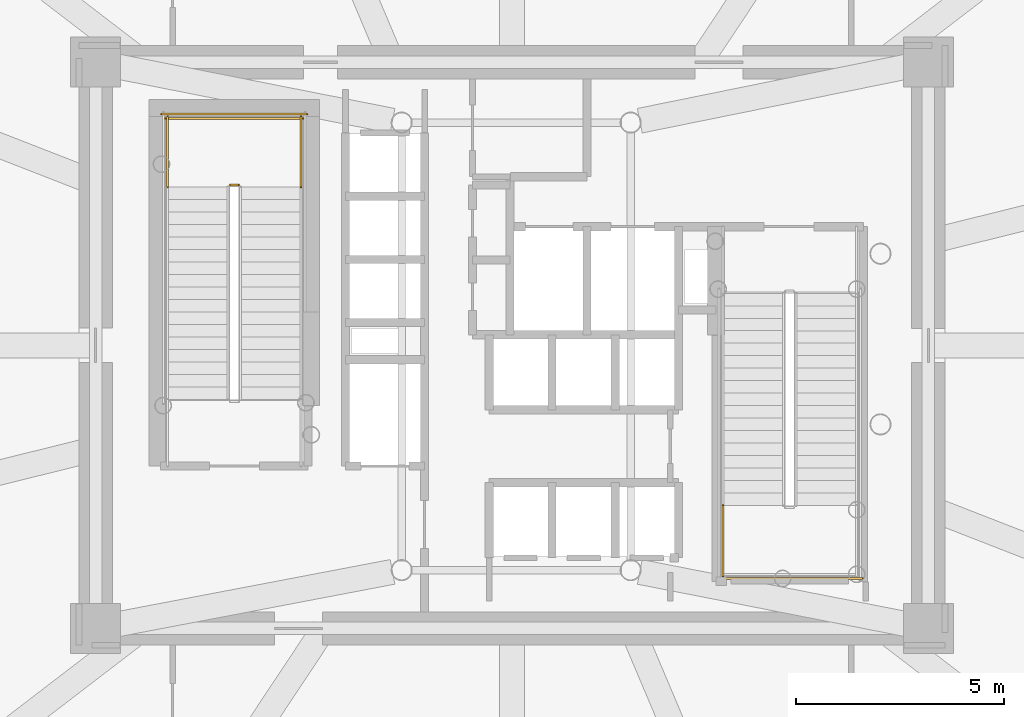
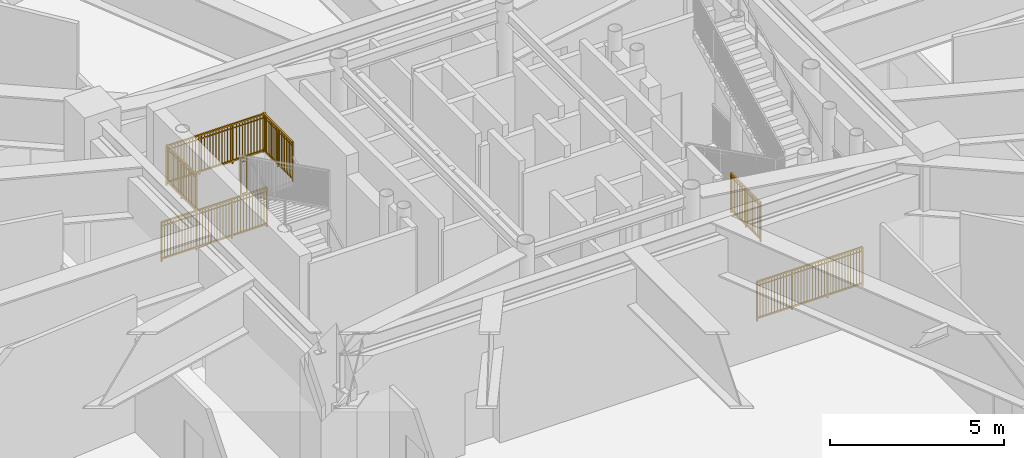
# One storey, part 12 of 15: 7 railings.
"""IFC4 building model written with IfcOpenShell, lengths in metres."""

from ifc_helpers import new_model, si_unit, direction, frame, origin, origin_2d, place, context, subcontext, project, spatial, rectangle, extrude, source, transform, mapped, material, type_object, element, save


model = new_model("IFC4")

# Units and contexts
model_context = context("Model", 3, precision=1e-05, world=origin(), true_north=direction((0.0, 1.0)))
body_context = subcontext(model_context, "Body", "Model", "MODEL_VIEW")
ifc_project = project(units=[si_unit("LENGTHUNIT", "METRE"), si_unit("AREAUNIT", "SQUARE_METRE"), si_unit("VOLUMEUNIT", "CUBIC_METRE"), si_unit("PLANEANGLEUNIT", "RADIAN"), si_unit("MASSUNIT", "GRAM", prefix="KILO")], contexts=[model_context])

# Site, building, storey
site_placement = place(None, origin())
site = spatial("IfcSite", under=ifc_project, at=site_placement, CompositionType="ELEMENT")
building_placement = place(site_placement, origin())
building = spatial("IfcBuilding", under=site, at=building_placement, Name="Linh Dai School and Residence Tower", CompositionType="ELEMENT")
storey_placement = place(building_placement, frame((0.0, 0.0, 145.949951171875)))
storey = spatial("IfcBuildingStorey", under=building, at=storey_placement, Name="L35", CompositionType="ELEMENT", Elevation=145.949951171875)

# Railings
ifc_material = material(Name="Structural Steel S355JR", Category="steel")
railing_type = type_object("IfcRailingType", Name="RL-ST-GUARD-1400", PredefinedType="GUARDRAIL", material=ifc_material)
shared_shape_1 = source(origin(), body_context, "Body", "SweptSolid", [
    extrude(rectangle(XDim=0.048095703125, YDim=0.048095703125, at=origin_2d()), frame((0.0, 0.0, 1.3759765625), z_axis=(-1.0, 0.0, 0.0), x_axis=(0.0, -1.0, 0.0)), (0.0, 0.0, 1.0), 0.199951171875),
    extrude(rectangle(XDim=0.048095703125, YDim=0.048095703125, at=origin_2d()), frame((0.0, 0.0, 0.10009765625), z_axis=(-1.0, 0.0, 0.0), x_axis=(0.0, -1.0, 0.0)), (0.0, 0.0, 1.0), 0.199951171875),
    extrude(rectangle(XDim=0.030029296875, YDim=0.030029296875, at=origin_2d()), frame((0.0, 0.0, 1.239990234375), z_axis=(-1.0, 0.0, 0.0), x_axis=(0.0, -1.0, 0.0)), (0.0, 0.0, 1.0), 0.199951171875),
    extrude(rectangle(XDim=0.0419921875, YDim=0.0419921875, at=origin_2d()), origin(), (0.0, 0.0, 1.0), 1.3759765625),
    extrude(rectangle(XDim=0.0419921875, YDim=0.0419921875, at=origin_2d()), frame((-0.199951171875, 0.0, 0.0)), (0.0, 0.0, 1.0), 1.3759765625),
])
railing_1_placement = place(storey_placement, frame((29.429931640625, 30.85009765625, 2.699951171875)))
element("IfcRailing", 1, at=railing_1_placement, inside=storey, type_object=railing_type, Name="L35 ST1 stair guard 2", PredefinedType="GUARDRAIL", context=body_context, shape_type="MappedRepresentation", body=[
    mapped(shared_shape_1, transform((0.0, 0.0, 0.0), x_axis=(1.0, 0.0, 0.0), y_axis=(0.0, 1.0, 0.0), z_axis=(0.0, 0.0, 1.0), scale=1.0)),
])
shared_shape_2 = source(origin(), body_context, "Body", "SweptSolid", [
    extrude(rectangle(XDim=0.048095703125, YDim=0.048095703125, at=origin_2d()), frame((0.0, 0.0, 1.3759765625), z_axis=(-1.0, 0.0, 0.0), x_axis=(0.0, -1.0, 0.0)), (0.0, 0.0, 1.0), 3.300048828125),
    extrude(rectangle(XDim=0.048095703125, YDim=0.048095703125, at=origin_2d()), frame((0.0, 0.0, 0.10009765625), z_axis=(-1.0, 0.0, 0.0), x_axis=(0.0, -1.0, 0.0)), (0.0, 0.0, 1.0), 3.300048828125),
    extrude(rectangle(XDim=0.030029296875, YDim=0.030029296875, at=origin_2d()), frame((0.0, 0.0, 1.239990234375), z_axis=(-1.0, 0.0, 0.0), x_axis=(0.0, -1.0, 0.0)), (0.0, 0.0, 1.0), 3.300048828125),
    extrude(rectangle(XDim=0.02001953125, YDim=0.02001953125, at=origin_2d()), frame((-0.09716796875, 0.0, 0.10009765625)), (0.0, 0.0, 1.0), 1.251708984375),
    extrude(rectangle(XDim=0.02001953125, YDim=0.02001953125, at=origin_2d()), frame((-0.194091796875, 0.0, 0.10009765625)), (0.0, 0.0, 1.0), 1.251708984375),
    extrude(rectangle(XDim=0.02001953125, YDim=0.02001953125, at=origin_2d()), frame((-0.291259765625, 0.0, 0.10009765625)), (0.0, 0.0, 1.0), 1.251708984375),
    extrude(rectangle(XDim=0.02001953125, YDim=0.02001953125, at=origin_2d()), frame((-0.38818359375, 0.0, 0.10009765625)), (0.0, 0.0, 1.0), 1.251708984375),
    extrude(rectangle(XDim=0.02001953125, YDim=0.02001953125, at=origin_2d()), frame((-0.4853515625, 0.0, 0.10009765625)), (0.0, 0.0, 1.0), 1.251708984375),
    extrude(rectangle(XDim=0.02001953125, YDim=0.02001953125, at=origin_2d()), frame((-0.582275390625, 0.0, 0.10009765625)), (0.0, 0.0, 1.0), 1.251708984375),
    extrude(rectangle(XDim=0.02001953125, YDim=0.02001953125, at=origin_2d()), frame((-0.679443359375, 0.0, 0.10009765625)), (0.0, 0.0, 1.0), 1.251708984375),
    extrude(rectangle(XDim=0.02001953125, YDim=0.02001953125, at=origin_2d()), frame((-0.7763671875, 0.0, 0.10009765625)), (0.0, 0.0, 1.0), 1.251708984375),
    extrude(rectangle(XDim=0.02001953125, YDim=0.02001953125, at=origin_2d()), frame((-0.87353515625, 0.0, 0.10009765625)), (0.0, 0.0, 1.0), 1.251708984375),
    extrude(rectangle(XDim=0.02001953125, YDim=0.02001953125, at=origin_2d()), frame((-0.970703125, 0.0, 0.10009765625)), (0.0, 0.0, 1.0), 1.251708984375),
    extrude(rectangle(XDim=0.02001953125, YDim=0.02001953125, at=origin_2d()), frame((-1.164794921875, 0.0, 0.10009765625)), (0.0, 0.0, 1.0), 1.251708984375),
    extrude(rectangle(XDim=0.02001953125, YDim=0.02001953125, at=origin_2d()), frame((-1.26171875, 0.0, 0.10009765625)), (0.0, 0.0, 1.0), 1.251708984375),
    extrude(rectangle(XDim=0.02001953125, YDim=0.02001953125, at=origin_2d()), frame((-1.35888671875, 0.0, 0.10009765625)), (0.0, 0.0, 1.0), 1.251708984375),
    extrude(rectangle(XDim=0.02001953125, YDim=0.02001953125, at=origin_2d()), frame((-1.455810546875, 0.0, 0.10009765625)), (0.0, 0.0, 1.0), 1.251708984375),
    extrude(rectangle(XDim=0.02001953125, YDim=0.02001953125, at=origin_2d()), frame((-1.552978515625, 0.0, 0.10009765625)), (0.0, 0.0, 1.0), 1.251708984375),
    extrude(rectangle(XDim=0.02001953125, YDim=0.02001953125, at=origin_2d()), frame((-1.64990234375, 0.0, 0.10009765625)), (0.0, 0.0, 1.0), 1.251708984375),
    extrude(rectangle(XDim=0.02001953125, YDim=0.02001953125, at=origin_2d()), frame((-1.7470703125, 0.0, 0.10009765625)), (0.0, 0.0, 1.0), 1.251708984375),
    extrude(rectangle(XDim=0.02001953125, YDim=0.02001953125, at=origin_2d()), frame((-1.84423828125, 0.0, 0.10009765625)), (0.0, 0.0, 1.0), 1.251708984375),
    extrude(rectangle(XDim=0.02001953125, YDim=0.02001953125, at=origin_2d()), frame((-1.941162109375, 0.0, 0.10009765625)), (0.0, 0.0, 1.0), 1.251708984375),
    extrude(rectangle(XDim=0.02001953125, YDim=0.02001953125, at=origin_2d()), frame((-2.038330078125, 0.0, 0.10009765625)), (0.0, 0.0, 1.0), 1.251708984375),
    extrude(rectangle(XDim=0.02001953125, YDim=0.02001953125, at=origin_2d()), frame((-2.13525390625, 0.0, 0.10009765625)), (0.0, 0.0, 1.0), 1.251708984375),
    extrude(rectangle(XDim=0.02001953125, YDim=0.02001953125, at=origin_2d()), frame((-2.329345703125, 0.0, 0.10009765625)), (0.0, 0.0, 1.0), 1.251708984375),
    extrude(rectangle(XDim=0.02001953125, YDim=0.02001953125, at=origin_2d()), frame((-2.426513671875, 0.0, 0.10009765625)), (0.0, 0.0, 1.0), 1.251708984375),
    extrude(rectangle(XDim=0.02001953125, YDim=0.02001953125, at=origin_2d()), frame((-2.523681640625, 0.0, 0.10009765625)), (0.0, 0.0, 1.0), 1.251708984375),
    extrude(rectangle(XDim=0.02001953125, YDim=0.02001953125, at=origin_2d()), frame((-2.62060546875, 0.0, 0.10009765625)), (0.0, 0.0, 1.0), 1.251708984375),
    extrude(rectangle(XDim=0.02001953125, YDim=0.02001953125, at=origin_2d()), frame((-2.7177734375, 0.0, 0.10009765625)), (0.0, 0.0, 1.0), 1.251708984375),
    extrude(rectangle(XDim=0.02001953125, YDim=0.02001953125, at=origin_2d()), frame((-2.814697265625, 0.0, 0.10009765625)), (0.0, 0.0, 1.0), 1.251708984375),
    extrude(rectangle(XDim=0.02001953125, YDim=0.02001953125, at=origin_2d()), frame((-2.911865234375, 0.0, 0.10009765625)), (0.0, 0.0, 1.0), 1.251708984375),
    extrude(rectangle(XDim=0.02001953125, YDim=0.02001953125, at=origin_2d()), frame((-3.0087890625, 0.0, 0.10009765625)), (0.0, 0.0, 1.0), 1.251708984375),
    extrude(rectangle(XDim=0.02001953125, YDim=0.02001953125, at=origin_2d()), frame((-3.10595703125, 0.0, 0.10009765625)), (0.0, 0.0, 1.0), 1.251708984375),
    extrude(rectangle(XDim=0.02001953125, YDim=0.02001953125, at=origin_2d()), frame((-3.202880859375, 0.0, 0.10009765625)), (0.0, 0.0, 1.0), 1.251708984375),
    extrude(rectangle(XDim=0.0419921875, YDim=0.0419921875, at=origin_2d()), origin(), (0.0, 0.0, 1.0), 1.3759765625),
    extrude(rectangle(XDim=0.0419921875, YDim=0.0419921875, at=origin_2d()), frame((-1.10009765625, 0.0, 0.0)), (0.0, 0.0, 1.0), 1.3759765625),
    extrude(rectangle(XDim=0.0419921875, YDim=0.0419921875, at=origin_2d()), frame((-2.199951171875, 0.0, 0.0)), (0.0, 0.0, 1.0), 1.3759765625),
    extrude(rectangle(XDim=0.0419921875, YDim=0.0419921875, at=origin_2d()), frame((-3.300048828125, 0.0, 0.0)), (0.0, 0.0, 1.0), 1.3759765625),
])
railing_2_placement = place(storey_placement, frame((30.97998046875, 32.449951171875, 2.699951171875)))
element("IfcRailing", 2, at=railing_2_placement, inside=storey, type_object=railing_type, Name="L35 ST1 stair guard 5", PredefinedType="GUARDRAIL", context=body_context, shape_type="MappedRepresentation", body=[
    mapped(shared_shape_2, transform((0.0, 0.0, 0.0), x_axis=(1.0, 0.0, 0.0), y_axis=(0.0, 1.0, 0.0), z_axis=(0.0, 0.0, 1.0), scale=1.0)),
])
shared_shape_3 = source(origin(), body_context, "Body", "SweptSolid", [
    extrude(rectangle(XDim=0.048095703125, YDim=0.048095703125, at=origin_2d()), frame((0.0, 0.0, 1.3759765625), z_axis=(-1.0, 0.0, 0.0), x_axis=(0.0, -1.0, 0.0)), (0.0, 0.0, 1.0), 3.5),
    extrude(rectangle(XDim=0.048095703125, YDim=0.048095703125, at=origin_2d()), frame((0.0, 0.0, 0.10009765625), z_axis=(-1.0, 0.0, 0.0), x_axis=(0.0, -1.0, 0.0)), (0.0, 0.0, 1.0), 3.5),
    extrude(rectangle(XDim=0.030029296875, YDim=0.030029296875, at=origin_2d()), frame((0.0, 0.0, 1.239990234375), z_axis=(-1.0, 0.0, 0.0), x_axis=(0.0, -1.0, 0.0)), (0.0, 0.0, 1.0), 3.5),
    extrude(rectangle(XDim=0.02001953125, YDim=0.02001953125, at=origin_2d()), frame((-0.09716796875, 0.0, 0.10009765625)), (0.0, 0.0, 1.0), 1.251708984375),
    extrude(rectangle(XDim=0.02001953125, YDim=0.02001953125, at=origin_2d()), frame((-0.1943359375, 0.0, 0.10009765625)), (0.0, 0.0, 1.0), 1.251708984375),
    extrude(rectangle(XDim=0.02001953125, YDim=0.02001953125, at=origin_2d()), frame((-0.291748046875, 0.0, 0.10009765625)), (0.0, 0.0, 1.0), 1.251708984375),
    extrude(rectangle(XDim=0.02001953125, YDim=0.02001953125, at=origin_2d()), frame((-0.388916015625, 0.0, 0.10009765625)), (0.0, 0.0, 1.0), 1.251708984375),
    extrude(rectangle(XDim=0.02001953125, YDim=0.02001953125, at=origin_2d()), frame((-0.486083984375, 0.0, 0.10009765625)), (0.0, 0.0, 1.0), 1.251708984375),
    extrude(rectangle(XDim=0.02001953125, YDim=0.02001953125, at=origin_2d()), frame((-0.583251953125, 0.0, 0.10009765625)), (0.0, 0.0, 1.0), 1.251708984375),
    extrude(rectangle(XDim=0.02001953125, YDim=0.02001953125, at=origin_2d()), frame((-0.6806640625, 0.0, 0.10009765625)), (0.0, 0.0, 1.0), 1.251708984375),
    extrude(rectangle(XDim=0.02001953125, YDim=0.02001953125, at=origin_2d()), frame((-0.77783203125, 0.0, 0.10009765625)), (0.0, 0.0, 1.0), 1.251708984375),
    extrude(rectangle(XDim=0.02001953125, YDim=0.02001953125, at=origin_2d()), frame((-0.875, 0.0, 0.10009765625)), (0.0, 0.0, 1.0), 1.251708984375),
    extrude(rectangle(XDim=0.02001953125, YDim=0.02001953125, at=origin_2d()), frame((-0.97216796875, 0.0, 0.10009765625)), (0.0, 0.0, 1.0), 1.251708984375),
    extrude(rectangle(XDim=0.02001953125, YDim=0.02001953125, at=origin_2d()), frame((-1.0693359375, 0.0, 0.10009765625)), (0.0, 0.0, 1.0), 1.251708984375),
    extrude(rectangle(XDim=0.02001953125, YDim=0.02001953125, at=origin_2d()), frame((-1.263916015625, 0.0, 0.10009765625)), (0.0, 0.0, 1.0), 1.251708984375),
    extrude(rectangle(XDim=0.02001953125, YDim=0.02001953125, at=origin_2d()), frame((-1.361083984375, 0.0, 0.10009765625)), (0.0, 0.0, 1.0), 1.251708984375),
    extrude(rectangle(XDim=0.02001953125, YDim=0.02001953125, at=origin_2d()), frame((-1.458251953125, 0.0, 0.10009765625)), (0.0, 0.0, 1.0), 1.251708984375),
    extrude(rectangle(XDim=0.02001953125, YDim=0.02001953125, at=origin_2d()), frame((-1.5556640625, 0.0, 0.10009765625)), (0.0, 0.0, 1.0), 1.251708984375),
    extrude(rectangle(XDim=0.02001953125, YDim=0.02001953125, at=origin_2d()), frame((-1.65283203125, 0.0, 0.10009765625)), (0.0, 0.0, 1.0), 1.251708984375),
    extrude(rectangle(XDim=0.02001953125, YDim=0.02001953125, at=origin_2d()), frame((-1.75, 0.0, 0.10009765625)), (0.0, 0.0, 1.0), 1.251708984375),
    extrude(rectangle(XDim=0.02001953125, YDim=0.02001953125, at=origin_2d()), frame((-1.84716796875, 0.0, 0.10009765625)), (0.0, 0.0, 1.0), 1.251708984375),
    extrude(rectangle(XDim=0.02001953125, YDim=0.02001953125, at=origin_2d()), frame((-1.9443359375, 0.0, 0.10009765625)), (0.0, 0.0, 1.0), 1.251708984375),
    extrude(rectangle(XDim=0.02001953125, YDim=0.02001953125, at=origin_2d()), frame((-2.041748046875, 0.0, 0.10009765625)), (0.0, 0.0, 1.0), 1.251708984375),
    extrude(rectangle(XDim=0.02001953125, YDim=0.02001953125, at=origin_2d()), frame((-2.138916015625, 0.0, 0.10009765625)), (0.0, 0.0, 1.0), 1.251708984375),
    extrude(rectangle(XDim=0.02001953125, YDim=0.02001953125, at=origin_2d()), frame((-2.236083984375, 0.0, 0.10009765625)), (0.0, 0.0, 1.0), 1.251708984375),
    extrude(rectangle(XDim=0.02001953125, YDim=0.02001953125, at=origin_2d()), frame((-2.4306640625, 0.0, 0.10009765625)), (0.0, 0.0, 1.0), 1.251708984375),
    extrude(rectangle(XDim=0.02001953125, YDim=0.02001953125, at=origin_2d()), frame((-2.52783203125, 0.0, 0.10009765625)), (0.0, 0.0, 1.0), 1.251708984375),
    extrude(rectangle(XDim=0.02001953125, YDim=0.02001953125, at=origin_2d()), frame((-2.625, 0.0, 0.10009765625)), (0.0, 0.0, 1.0), 1.251708984375),
    extrude(rectangle(XDim=0.02001953125, YDim=0.02001953125, at=origin_2d()), frame((-2.72216796875, 0.0, 0.10009765625)), (0.0, 0.0, 1.0), 1.251708984375),
    extrude(rectangle(XDim=0.02001953125, YDim=0.02001953125, at=origin_2d()), frame((-2.8193359375, 0.0, 0.10009765625)), (0.0, 0.0, 1.0), 1.251708984375),
    extrude(rectangle(XDim=0.02001953125, YDim=0.02001953125, at=origin_2d()), frame((-2.916748046875, 0.0, 0.10009765625)), (0.0, 0.0, 1.0), 1.251708984375),
    extrude(rectangle(XDim=0.02001953125, YDim=0.02001953125, at=origin_2d()), frame((-3.013916015625, 0.0, 0.10009765625)), (0.0, 0.0, 1.0), 1.251708984375),
    extrude(rectangle(XDim=0.02001953125, YDim=0.02001953125, at=origin_2d()), frame((-3.111083984375, 0.0, 0.10009765625)), (0.0, 0.0, 1.0), 1.251708984375),
    extrude(rectangle(XDim=0.02001953125, YDim=0.02001953125, at=origin_2d()), frame((-3.208251953125, 0.0, 0.10009765625)), (0.0, 0.0, 1.0), 1.251708984375),
    extrude(rectangle(XDim=0.02001953125, YDim=0.02001953125, at=origin_2d()), frame((-3.3056640625, 0.0, 0.10009765625)), (0.0, 0.0, 1.0), 1.251708984375),
    extrude(rectangle(XDim=0.02001953125, YDim=0.02001953125, at=origin_2d()), frame((-3.40283203125, 0.0, 0.10009765625)), (0.0, 0.0, 1.0), 1.251708984375),
    extrude(rectangle(XDim=0.0419921875, YDim=0.0419921875, at=origin_2d()), origin(), (0.0, 0.0, 1.0), 1.3759765625),
    extrude(rectangle(XDim=0.0419921875, YDim=0.0419921875, at=origin_2d()), frame((-1.166748046875, 0.0, 0.0)), (0.0, 0.0, 1.0), 1.3759765625),
    extrude(rectangle(XDim=0.0419921875, YDim=0.0419921875, at=origin_2d()), frame((-2.333251953125, 0.0, 0.0)), (0.0, 0.0, 1.0), 1.3759765625),
    extrude(rectangle(XDim=0.0419921875, YDim=0.0419921875, at=origin_2d()), frame((-3.5, 0.0, 0.0)), (0.0, 0.0, 1.0), 1.3759765625),
])
railing_3_placement = place(storey_placement, frame((31.080078125, 32.550048828125, 0.0)))
element("IfcRailing", 3, at=railing_3_placement, inside=storey, type_object=railing_type, Name="L35 ST1 stair guard 12", PredefinedType="GUARDRAIL", context=body_context, shape_type="MappedRepresentation", body=[
    mapped(shared_shape_3, transform((0.0, 0.0, 0.0), x_axis=(1.0, 0.0, 0.0), y_axis=(0.0, 1.0, 0.0), z_axis=(0.0, 0.0, 1.0), scale=1.0)),
])
shared_shape_4 = source(origin(), body_context, "Body", "SweptSolid", [
    extrude(rectangle(XDim=0.048095703125, YDim=0.048095703125, at=origin_2d()), frame((0.0, 0.0, 1.3759765625), z_axis=(0.0, 1.0, 0.0), x_axis=(-1.0, 0.0, 0.0)), (0.0, 0.0, 1.0), 1.699951171875),
    extrude(rectangle(XDim=0.048095703125, YDim=0.048095703125, at=origin_2d()), frame((0.0, 0.0, 0.10009765625), z_axis=(0.0, 1.0, 0.0), x_axis=(-1.0, 0.0, 0.0)), (0.0, 0.0, 1.0), 1.699951171875),
    extrude(rectangle(XDim=0.030029296875, YDim=0.030029296875, at=origin_2d()), frame((0.0, 0.0, 1.239990234375), z_axis=(0.0, 1.0, 0.0), x_axis=(-1.0, 0.0, 0.0)), (0.0, 0.0, 1.0), 1.699951171875),
    extrude(rectangle(XDim=0.02001953125, YDim=0.02001953125, at=origin_2d()), frame((0.0, 0.094482421875, 0.10009765625)), (0.0, 0.0, 1.0), 1.251708984375),
    extrude(rectangle(XDim=0.02001953125, YDim=0.02001953125, at=origin_2d()), frame((0.0, 0.18896484375, 0.10009765625)), (0.0, 0.0, 1.0), 1.251708984375),
    extrude(rectangle(XDim=0.02001953125, YDim=0.02001953125, at=origin_2d()), frame((0.0, 0.283203125, 0.10009765625)), (0.0, 0.0, 1.0), 1.251708984375),
    extrude(rectangle(XDim=0.02001953125, YDim=0.02001953125, at=origin_2d()), frame((0.0, 0.377685546875, 0.10009765625)), (0.0, 0.0, 1.0), 1.251708984375),
    extrude(rectangle(XDim=0.02001953125, YDim=0.02001953125, at=origin_2d()), frame((0.0, 0.47216796875, 0.10009765625)), (0.0, 0.0, 1.0), 1.251708984375),
    extrude(rectangle(XDim=0.02001953125, YDim=0.02001953125, at=origin_2d()), frame((0.0, 0.566650390625, 0.10009765625)), (0.0, 0.0, 1.0), 1.251708984375),
    extrude(rectangle(XDim=0.02001953125, YDim=0.02001953125, at=origin_2d()), frame((0.0, 0.6611328125, 0.10009765625)), (0.0, 0.0, 1.0), 1.251708984375),
    extrude(rectangle(XDim=0.02001953125, YDim=0.02001953125, at=origin_2d()), frame((0.0, 0.755615234375, 0.10009765625)), (0.0, 0.0, 1.0), 1.251708984375),
    extrude(rectangle(XDim=0.02001953125, YDim=0.02001953125, at=origin_2d()), frame((0.0, 0.9443359375, 0.10009765625)), (0.0, 0.0, 1.0), 1.251708984375),
    extrude(rectangle(XDim=0.02001953125, YDim=0.02001953125, at=origin_2d()), frame((0.0, 1.038818359375, 0.10009765625)), (0.0, 0.0, 1.0), 1.251708984375),
    extrude(rectangle(XDim=0.02001953125, YDim=0.02001953125, at=origin_2d()), frame((0.0, 1.13330078125, 0.10009765625)), (0.0, 0.0, 1.0), 1.251708984375),
    extrude(rectangle(XDim=0.02001953125, YDim=0.02001953125, at=origin_2d()), frame((0.0, 1.227783203125, 0.10009765625)), (0.0, 0.0, 1.0), 1.251708984375),
    extrude(rectangle(XDim=0.02001953125, YDim=0.02001953125, at=origin_2d()), frame((0.0, 1.322265625, 0.10009765625)), (0.0, 0.0, 1.0), 1.251708984375),
    extrude(rectangle(XDim=0.02001953125, YDim=0.02001953125, at=origin_2d()), frame((0.0, 1.41650390625, 0.10009765625)), (0.0, 0.0, 1.0), 1.251708984375),
    extrude(rectangle(XDim=0.02001953125, YDim=0.02001953125, at=origin_2d()), frame((0.0, 1.510986328125, 0.10009765625)), (0.0, 0.0, 1.0), 1.251708984375),
    extrude(rectangle(XDim=0.02001953125, YDim=0.02001953125, at=origin_2d()), frame((0.0, 1.60546875, 0.10009765625)), (0.0, 0.0, 1.0), 1.251708984375),
    extrude(rectangle(XDim=0.0419921875, YDim=0.0419921875, at=origin_2d()), origin(), (0.0, 0.0, 1.0), 1.3759765625),
    extrude(rectangle(XDim=0.0419921875, YDim=0.0419921875, at=origin_2d()), frame((0.0, 0.85009765625, 0.0)), (0.0, 0.0, 1.0), 1.3759765625),
    extrude(rectangle(XDim=0.0419921875, YDim=0.0419921875, at=origin_2d()), frame((0.0, 1.699951171875, 0.0)), (0.0, 0.0, 1.0), 1.3759765625),
])
for number, where, name in (
    (4, (30.929931640625, 30.800048828125, 2.699951171875), "L35 ST1 stair guard 3"),
    (5, (27.72998046875, 30.800048828125, 2.699951171875), "L35 ST1 stair guard 4"),
):
    element("IfcRailing", number, at=place(storey_placement, frame(where)), inside=storey, type_object=railing_type, Name=name, PredefinedType="GUARDRAIL", context=body_context, shape_type="MappedRepresentation", body=[
        mapped(shared_shape_4, transform((0.0, 0.0, 0.0), x_axis=(1.0, 0.0, 0.0), y_axis=(0.0, 1.0, 0.0), z_axis=(0.0, 0.0, 1.0), scale=1.0)),
    ])
shared_shape_5 = source(origin(), body_context, "Body", "SweptSolid", [
    extrude(rectangle(XDim=0.048095703125, YDim=0.048095703125, at=origin_2d()), frame((0.0, 0.0, 1.3759765625), z_axis=(1.0, 0.0, 0.0), x_axis=(0.0, 1.0, 0.0)), (0.0, 0.0, 1.0), 3.5),
    extrude(rectangle(XDim=0.048095703125, YDim=0.048095703125, at=origin_2d()), frame((0.0, 0.0, 0.10009765625), z_axis=(1.0, 0.0, 0.0), x_axis=(0.0, 1.0, 0.0)), (0.0, 0.0, 1.0), 3.5),
    extrude(rectangle(XDim=0.030029296875, YDim=0.030029296875, at=origin_2d()), frame((0.0, 0.0, 1.239990234375), z_axis=(1.0, 0.0, 0.0), x_axis=(0.0, 1.0, 0.0)), (0.0, 0.0, 1.0), 3.5),
    extrude(rectangle(XDim=0.02001953125, YDim=0.02001953125, at=origin_2d()), frame((0.09716796875, 0.0, 0.10009765625)), (0.0, 0.0, 1.0), 1.251708984375),
    extrude(rectangle(XDim=0.02001953125, YDim=0.02001953125, at=origin_2d()), frame((0.1943359375, 0.0, 0.10009765625)), (0.0, 0.0, 1.0), 1.251708984375),
    extrude(rectangle(XDim=0.02001953125, YDim=0.02001953125, at=origin_2d()), frame((0.291748046875, 0.0, 0.10009765625)), (0.0, 0.0, 1.0), 1.251708984375),
    extrude(rectangle(XDim=0.02001953125, YDim=0.02001953125, at=origin_2d()), frame((0.388916015625, 0.0, 0.10009765625)), (0.0, 0.0, 1.0), 1.251708984375),
    extrude(rectangle(XDim=0.02001953125, YDim=0.02001953125, at=origin_2d()), frame((0.486083984375, 0.0, 0.10009765625)), (0.0, 0.0, 1.0), 1.251708984375),
    extrude(rectangle(XDim=0.02001953125, YDim=0.02001953125, at=origin_2d()), frame((0.583251953125, 0.0, 0.10009765625)), (0.0, 0.0, 1.0), 1.251708984375),
    extrude(rectangle(XDim=0.02001953125, YDim=0.02001953125, at=origin_2d()), frame((0.6806640625, 0.0, 0.10009765625)), (0.0, 0.0, 1.0), 1.251708984375),
    extrude(rectangle(XDim=0.02001953125, YDim=0.02001953125, at=origin_2d()), frame((0.77783203125, 0.0, 0.10009765625)), (0.0, 0.0, 1.0), 1.251708984375),
    extrude(rectangle(XDim=0.02001953125, YDim=0.02001953125, at=origin_2d()), frame((0.875, 0.0, 0.10009765625)), (0.0, 0.0, 1.0), 1.251708984375),
    extrude(rectangle(XDim=0.02001953125, YDim=0.02001953125, at=origin_2d()), frame((0.97216796875, 0.0, 0.10009765625)), (0.0, 0.0, 1.0), 1.251708984375),
    extrude(rectangle(XDim=0.02001953125, YDim=0.02001953125, at=origin_2d()), frame((1.0693359375, 0.0, 0.10009765625)), (0.0, 0.0, 1.0), 1.251708984375),
    extrude(rectangle(XDim=0.02001953125, YDim=0.02001953125, at=origin_2d()), frame((1.263916015625, 0.0, 0.10009765625)), (0.0, 0.0, 1.0), 1.251708984375),
    extrude(rectangle(XDim=0.02001953125, YDim=0.02001953125, at=origin_2d()), frame((1.361083984375, 0.0, 0.10009765625)), (0.0, 0.0, 1.0), 1.251708984375),
    extrude(rectangle(XDim=0.02001953125, YDim=0.02001953125, at=origin_2d()), frame((1.458251953125, 0.0, 0.10009765625)), (0.0, 0.0, 1.0), 1.251708984375),
    extrude(rectangle(XDim=0.02001953125, YDim=0.02001953125, at=origin_2d()), frame((1.5556640625, 0.0, 0.10009765625)), (0.0, 0.0, 1.0), 1.251708984375),
    extrude(rectangle(XDim=0.02001953125, YDim=0.02001953125, at=origin_2d()), frame((1.65283203125, 0.0, 0.10009765625)), (0.0, 0.0, 1.0), 1.251708984375),
    extrude(rectangle(XDim=0.02001953125, YDim=0.02001953125, at=origin_2d()), frame((1.75, 0.0, 0.10009765625)), (0.0, 0.0, 1.0), 1.251708984375),
    extrude(rectangle(XDim=0.02001953125, YDim=0.02001953125, at=origin_2d()), frame((1.84716796875, 0.0, 0.10009765625)), (0.0, 0.0, 1.0), 1.251708984375),
    extrude(rectangle(XDim=0.02001953125, YDim=0.02001953125, at=origin_2d()), frame((1.9443359375, 0.0, 0.10009765625)), (0.0, 0.0, 1.0), 1.251708984375),
    extrude(rectangle(XDim=0.02001953125, YDim=0.02001953125, at=origin_2d()), frame((2.041748046875, 0.0, 0.10009765625)), (0.0, 0.0, 1.0), 1.251708984375),
    extrude(rectangle(XDim=0.02001953125, YDim=0.02001953125, at=origin_2d()), frame((2.138916015625, 0.0, 0.10009765625)), (0.0, 0.0, 1.0), 1.251708984375),
    extrude(rectangle(XDim=0.02001953125, YDim=0.02001953125, at=origin_2d()), frame((2.236083984375, 0.0, 0.10009765625)), (0.0, 0.0, 1.0), 1.251708984375),
    extrude(rectangle(XDim=0.02001953125, YDim=0.02001953125, at=origin_2d()), frame((2.4306640625, 0.0, 0.10009765625)), (0.0, 0.0, 1.0), 1.251708984375),
    extrude(rectangle(XDim=0.02001953125, YDim=0.02001953125, at=origin_2d()), frame((2.52783203125, 0.0, 0.10009765625)), (0.0, 0.0, 1.0), 1.251708984375),
    extrude(rectangle(XDim=0.02001953125, YDim=0.02001953125, at=origin_2d()), frame((2.625, 0.0, 0.10009765625)), (0.0, 0.0, 1.0), 1.251708984375),
    extrude(rectangle(XDim=0.02001953125, YDim=0.02001953125, at=origin_2d()), frame((2.72216796875, 0.0, 0.10009765625)), (0.0, 0.0, 1.0), 1.251708984375),
    extrude(rectangle(XDim=0.02001953125, YDim=0.02001953125, at=origin_2d()), frame((2.8193359375, 0.0, 0.10009765625)), (0.0, 0.0, 1.0), 1.251708984375),
    extrude(rectangle(XDim=0.02001953125, YDim=0.02001953125, at=origin_2d()), frame((2.916748046875, 0.0, 0.10009765625)), (0.0, 0.0, 1.0), 1.251708984375),
    extrude(rectangle(XDim=0.02001953125, YDim=0.02001953125, at=origin_2d()), frame((3.013916015625, 0.0, 0.10009765625)), (0.0, 0.0, 1.0), 1.251708984375),
    extrude(rectangle(XDim=0.02001953125, YDim=0.02001953125, at=origin_2d()), frame((3.111083984375, 0.0, 0.10009765625)), (0.0, 0.0, 1.0), 1.251708984375),
    extrude(rectangle(XDim=0.02001953125, YDim=0.02001953125, at=origin_2d()), frame((3.208251953125, 0.0, 0.10009765625)), (0.0, 0.0, 1.0), 1.251708984375),
    extrude(rectangle(XDim=0.02001953125, YDim=0.02001953125, at=origin_2d()), frame((3.3056640625, 0.0, 0.10009765625)), (0.0, 0.0, 1.0), 1.251708984375),
    extrude(rectangle(XDim=0.02001953125, YDim=0.02001953125, at=origin_2d()), frame((3.40283203125, 0.0, 0.10009765625)), (0.0, 0.0, 1.0), 1.251708984375),
    extrude(rectangle(XDim=0.0419921875, YDim=0.0419921875, at=origin_2d()), origin(), (0.0, 0.0, 1.0), 1.3759765625),
    extrude(rectangle(XDim=0.0419921875, YDim=0.0419921875, at=origin_2d()), frame((1.166748046875, 0.0, 0.0)), (0.0, 0.0, 1.0), 1.3759765625),
    extrude(rectangle(XDim=0.0419921875, YDim=0.0419921875, at=origin_2d()), frame((2.333251953125, 0.0, 0.0)), (0.0, 0.0, 1.0), 1.3759765625),
    extrude(rectangle(XDim=0.0419921875, YDim=0.0419921875, at=origin_2d()), frame((3.5, 0.0, 0.0)), (0.0, 0.0, 1.0), 1.3759765625),
])
railing_4_placement = place(storey_placement, frame((40.919921875, 21.39990234375, 0.0)))
element("IfcRailing", 6, at=railing_4_placement, inside=storey, type_object=railing_type, Name="L35 ST2 stair guard 12", PredefinedType="GUARDRAIL", context=body_context, shape_type="MappedRepresentation", body=[
    mapped(shared_shape_5, transform((0.0, 0.0, 0.0), x_axis=(1.0, 0.0, 0.0), y_axis=(0.0, 1.0, 0.0), z_axis=(0.0, 0.0, 1.0), scale=1.0)),
])
shared_shape_6 = source(origin(), body_context, "Body", "SweptSolid", [
    extrude(rectangle(XDim=0.048095703125, YDim=0.048095703125, at=origin_2d()), frame((0.0, 0.0, 1.3759765625), z_axis=(0.0, -1.0, 0.0), x_axis=(1.0, 0.0, 0.0)), (0.0, 0.0, 1.0), 1.699951171875),
    extrude(rectangle(XDim=0.048095703125, YDim=0.048095703125, at=origin_2d()), frame((0.0, 0.0, 0.10009765625), z_axis=(0.0, -1.0, 0.0), x_axis=(1.0, 0.0, 0.0)), (0.0, 0.0, 1.0), 1.699951171875),
    extrude(rectangle(XDim=0.030029296875, YDim=0.030029296875, at=origin_2d()), frame((0.0, 0.0, 1.239990234375), z_axis=(0.0, -1.0, 0.0), x_axis=(1.0, 0.0, 0.0)), (0.0, 0.0, 1.0), 1.699951171875),
    extrude(rectangle(XDim=0.02001953125, YDim=0.02001953125, at=origin_2d()), frame((0.0, -0.094482421875, 0.10009765625)), (0.0, 0.0, 1.0), 1.251708984375),
    extrude(rectangle(XDim=0.02001953125, YDim=0.02001953125, at=origin_2d()), frame((0.0, -0.18896484375, 0.10009765625)), (0.0, 0.0, 1.0), 1.251708984375),
    extrude(rectangle(XDim=0.02001953125, YDim=0.02001953125, at=origin_2d()), frame((0.0, -0.283203125, 0.10009765625)), (0.0, 0.0, 1.0), 1.251708984375),
    extrude(rectangle(XDim=0.02001953125, YDim=0.02001953125, at=origin_2d()), frame((0.0, -0.377685546875, 0.10009765625)), (0.0, 0.0, 1.0), 1.251708984375),
    extrude(rectangle(XDim=0.02001953125, YDim=0.02001953125, at=origin_2d()), frame((0.0, -0.47216796875, 0.10009765625)), (0.0, 0.0, 1.0), 1.251708984375),
    extrude(rectangle(XDim=0.02001953125, YDim=0.02001953125, at=origin_2d()), frame((0.0, -0.566650390625, 0.10009765625)), (0.0, 0.0, 1.0), 1.251708984375),
    extrude(rectangle(XDim=0.02001953125, YDim=0.02001953125, at=origin_2d()), frame((0.0, -0.6611328125, 0.10009765625)), (0.0, 0.0, 1.0), 1.251708984375),
    extrude(rectangle(XDim=0.02001953125, YDim=0.02001953125, at=origin_2d()), frame((0.0, -0.755615234375, 0.10009765625)), (0.0, 0.0, 1.0), 1.251708984375),
    extrude(rectangle(XDim=0.02001953125, YDim=0.02001953125, at=origin_2d()), frame((0.0, -0.9443359375, 0.10009765625)), (0.0, 0.0, 1.0), 1.251708984375),
    extrude(rectangle(XDim=0.02001953125, YDim=0.02001953125, at=origin_2d()), frame((0.0, -1.038818359375, 0.10009765625)), (0.0, 0.0, 1.0), 1.251708984375),
    extrude(rectangle(XDim=0.02001953125, YDim=0.02001953125, at=origin_2d()), frame((0.0, -1.13330078125, 0.10009765625)), (0.0, 0.0, 1.0), 1.251708984375),
    extrude(rectangle(XDim=0.02001953125, YDim=0.02001953125, at=origin_2d()), frame((0.0, -1.227783203125, 0.10009765625)), (0.0, 0.0, 1.0), 1.251708984375),
    extrude(rectangle(XDim=0.02001953125, YDim=0.02001953125, at=origin_2d()), frame((0.0, -1.322265625, 0.10009765625)), (0.0, 0.0, 1.0), 1.251708984375),
    extrude(rectangle(XDim=0.02001953125, YDim=0.02001953125, at=origin_2d()), frame((0.0, -1.41650390625, 0.10009765625)), (0.0, 0.0, 1.0), 1.251708984375),
    extrude(rectangle(XDim=0.02001953125, YDim=0.02001953125, at=origin_2d()), frame((0.0, -1.510986328125, 0.10009765625)), (0.0, 0.0, 1.0), 1.251708984375),
    extrude(rectangle(XDim=0.02001953125, YDim=0.02001953125, at=origin_2d()), frame((0.0, -1.60546875, 0.10009765625)), (0.0, 0.0, 1.0), 1.251708984375),
    extrude(rectangle(XDim=0.0419921875, YDim=0.0419921875, at=origin_2d()), origin(), (0.0, 0.0, 1.0), 1.3759765625),
    extrude(rectangle(XDim=0.0419921875, YDim=0.0419921875, at=origin_2d()), frame((0.0, -0.85009765625, 0.0)), (0.0, 0.0, 1.0), 1.3759765625),
    extrude(rectangle(XDim=0.0419921875, YDim=0.0419921875, at=origin_2d()), frame((0.0, -1.699951171875, 0.0)), (0.0, 0.0, 1.0), 1.3759765625),
])
railing_5_placement = place(storey_placement, frame((41.070068359375, 23.14990234375, 2.699951171875)))
element("IfcRailing", 7, at=railing_5_placement, inside=storey, type_object=railing_type, Name="L35 ST2 stair guard 3", PredefinedType="GUARDRAIL", context=body_context, shape_type="MappedRepresentation", body=[
    mapped(shared_shape_6, transform((0.0, 0.0, 0.0), x_axis=(1.0, 0.0, 0.0), y_axis=(0.0, 1.0, 0.0), z_axis=(0.0, 0.0, 1.0), scale=1.0)),
])

save(model, "model.ifc")
